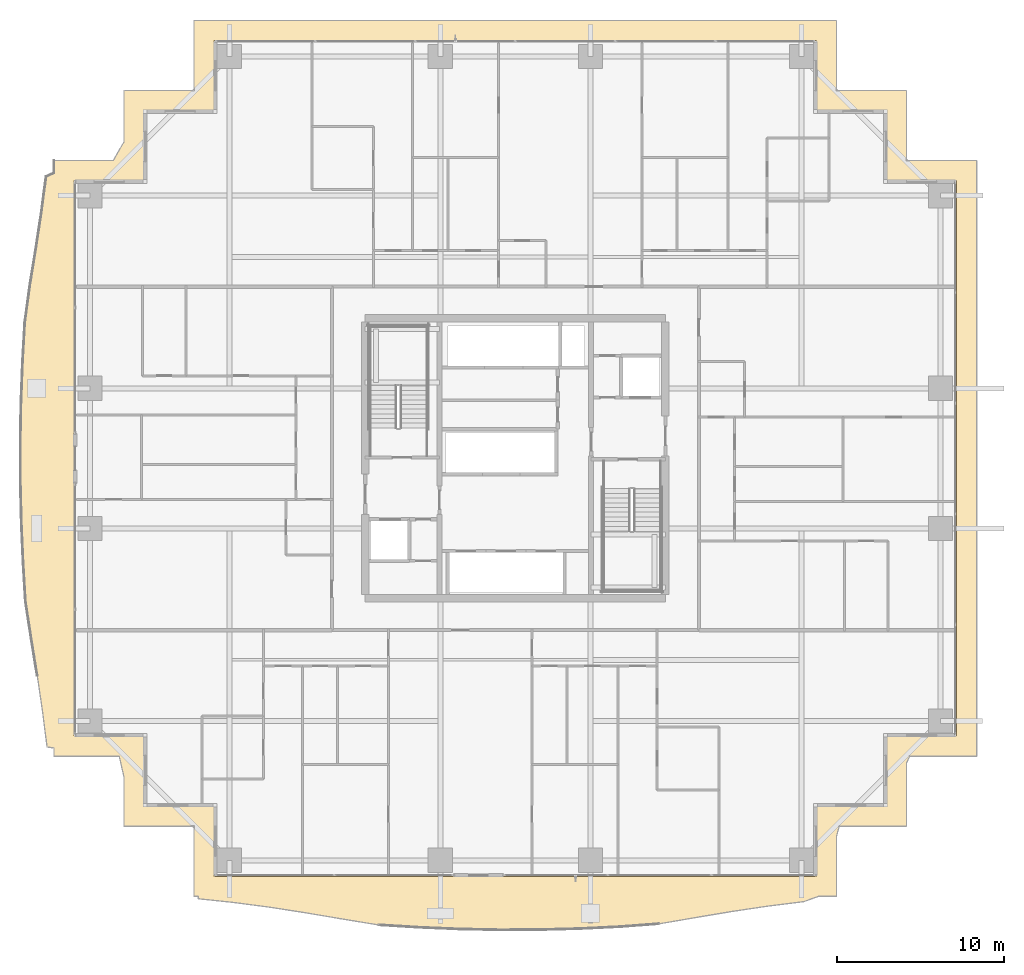
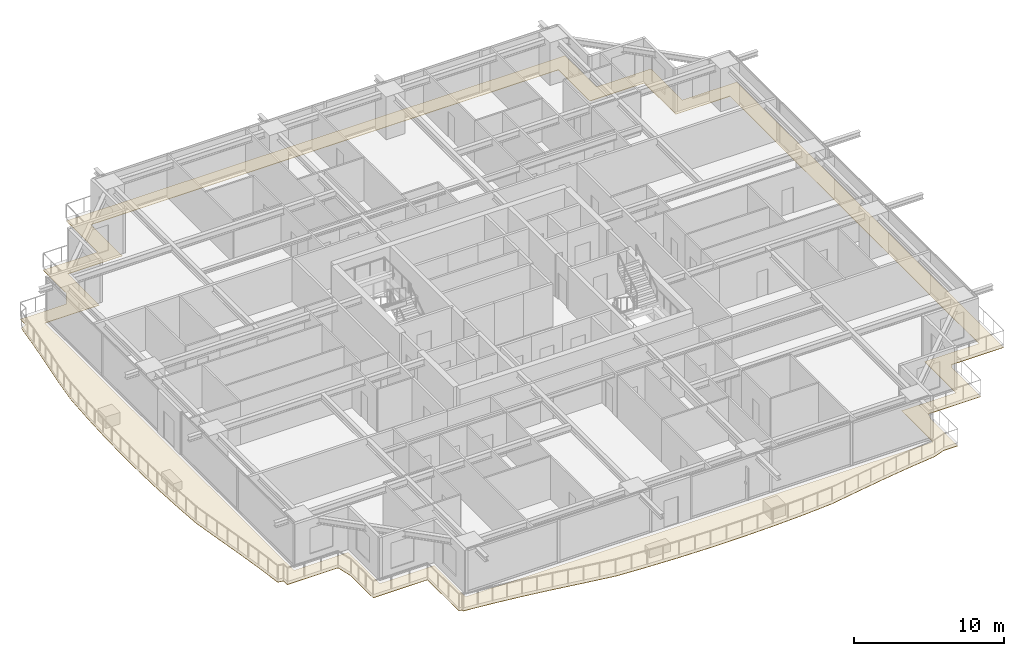
# One storey, part 37 of 41: 1 covering.
"""IFC4 building model written with IfcOpenShell, lengths in metres."""

from ifc_helpers import new_model, si_unit, direction, frame, origin, place, context, subcontext, project, spatial, polyline, outline, extrude, material, layer, layer_set, type_object, element, save


model = new_model("IFC4")

# Units and contexts
model_context = context("Model", 3, precision=1e-05, world=origin(), true_north=direction((0.0, 1.0)))
body_context = subcontext(model_context, "Body", "Model", "MODEL_VIEW")
ifc_project = project(units=[si_unit("LENGTHUNIT", "METRE"), si_unit("AREAUNIT", "SQUARE_METRE"), si_unit("VOLUMEUNIT", "CUBIC_METRE"), si_unit("PLANEANGLEUNIT", "RADIAN"), si_unit("MASSUNIT", "GRAM", prefix="KILO")], contexts=[model_context])

# Site, building, storey
site_placement = place(None, origin())
site = spatial("IfcSite", under=ifc_project, at=site_placement, CompositionType="ELEMENT")
building_placement = place(site_placement, origin())
building = spatial("IfcBuilding", under=site, at=building_placement, Name="Serunith Strait Residences", CompositionType="ELEMENT")
storey_placement = place(building_placement, frame((0.0, 0.0, 75.449951171875)))
storey = spatial("IfcBuildingStorey", under=building, at=storey_placement, Name="L18", CompositionType="ELEMENT", Elevation=75.449951171875)

# Covering
ifc_material = material(Name="Golden Teak Exterior Timber Boarding", Category="wood")
ifc_layer = layer(ifc_material, 0.034912109375, Name="Golden Teak Exterior Timber Boarding")
ifc_layer_set = layer_set([ifc_layer], Name="Golden Teak Exterior Timber Boarding")
covering_type = type_object("IfcCoveringType", Name="COV-TEAK-SOFFIT", PredefinedType="CEILING", material=ifc_layer_set)
covering_placement = place(storey_placement, frame((0.0, 0.0, -0.324951171875)))
element("IfcCovering", 1, at=covering_placement, inside=storey, type_object=covering_type, Name="L18 Golden-Teak Balcony Soffit Lining", PredefinedType="CEILING", context=body_context, shape_type="SweptSolid", body=[
    extrude(outline(polyline([(13.139892578125, 3.139892578125), (8.93994140625, 3.139892578125), (8.93994140625, 6.090087890625), (8.65380859375, 7.340087890625), (4.739990234375, 7.340087890625), (4.739990234375, 7.83349609375), (4.32421875, 7.90087890625), (4.052978515625, 10.033203125), (3.73486328125, 12.1884765625), (3.381591796875, 14.38232421875), (3.034423828125, 16.635009765625), (2.894287109375, 18.98779296875), (2.79150390625, 21.3681640625), (2.73388671875, 23.767333984375), (2.726318359375, 26.174072265625), (2.77001953125, 28.576416015625), (2.861083984375, 30.96240234375), (2.9931640625, 33.322265625), (3.30029296875, 35.597900390625), (3.65966796875, 37.801025390625), (3.98779296875, 39.962158203125), (4.270751953125, 42.09716796875), (4.739990234375, 42.312255859375), (4.739990234375, 43.06005859375), (8.298095703125, 43.06005859375), (8.93994140625, 44.181396484375), (8.93994140625, 47.260009765625), (13.139892578125, 47.260009765625), (13.139892578125, 51.4599609375), (51.659912109375, 51.4599609375), (51.659912109375, 47.260009765625), (55.860107421875, 47.260009765625), (55.860107421875, 43.06005859375), (60.06005859375, 43.06005859375), (60.06005859375, 7.340087890625), (56.041259765625, 7.340087890625), (55.860107421875, 6.9423828125), (55.860107421875, 3.139892578125), (51.8173828125, 3.139892578125), (51.659912109375, 2.547119140625), (51.659912109375, -1.06005859375), (50.57421875, -1.06005859375), (49.691650390625, -1.375244140625), (47.565185546875, -1.64111328125), (45.419189453125, -1.9609375), (43.23583984375, -2.3251953125), (40.99609375, -2.70947265625), (38.644775390625, -2.887451171875), (36.254150390625, -3.001220703125), (33.841552734375, -3.06494140625), (31.419921875, -3.072998046875), (29.003662109375, -3.0244140625), (26.606689453125, -2.923095703125), (24.23974609375, -2.778076171875), (21.98193359375, -2.409423828125), (19.789306640625, -2.036865234375), (17.63818359375, -1.705078125), (15.510009765625, -1.426513671875), (13.390380859375, -1.2021484375), (13.3916015625, -1.06005859375), (13.139892578125, -1.06005859375), (13.139892578125, 3.139892578125)]), holes=[polyline([(50.455078125, 0.14501953125), (50.455078125, 4.344970703125), (54.655029296875, 4.344970703125), (54.655029296875, 8.544921875), (58.85498046875, 8.544921875), (58.85498046875, 41.85498046875), (54.655029296875, 41.85498046875), (54.655029296875, 46.054931640625), (50.455078125, 46.054931640625), (50.455078125, 50.2548828125), (14.344970703125, 50.2548828125), (14.344970703125, 46.054931640625), (10.14501953125, 46.054931640625), (10.14501953125, 41.85498046875), (5.945068359375, 41.85498046875), (5.945068359375, 8.544921875), (10.14501953125, 8.544921875), (10.14501953125, 4.344970703125), (14.344970703125, 4.344970703125), (14.344970703125, 0.14501953125), (50.455078125, 0.14501953125)])]), origin(), (0.0, 0.0, 1.0), 0.034912109375),
])

save(model, "model.ifc")
